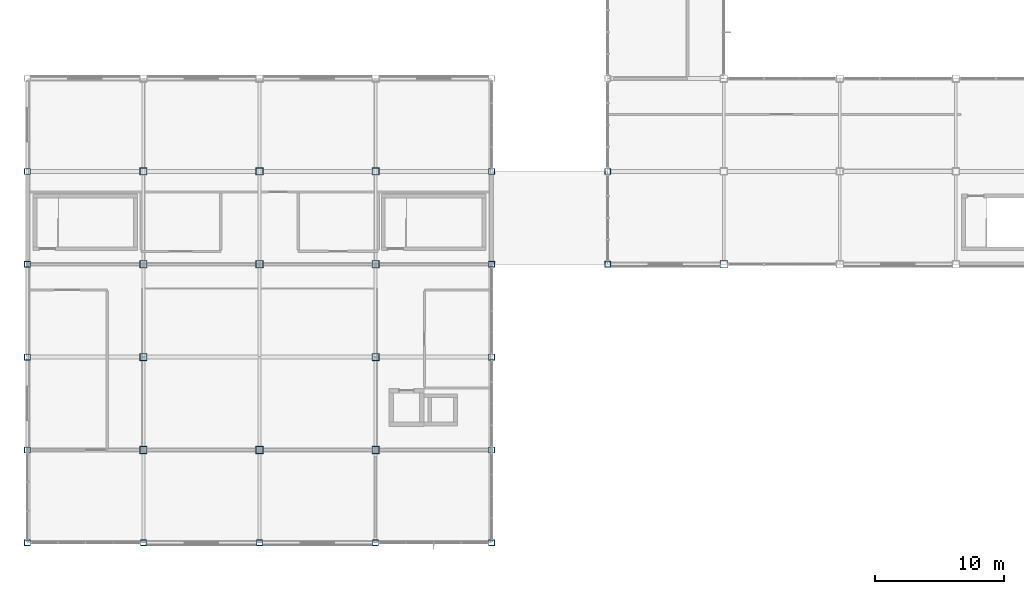
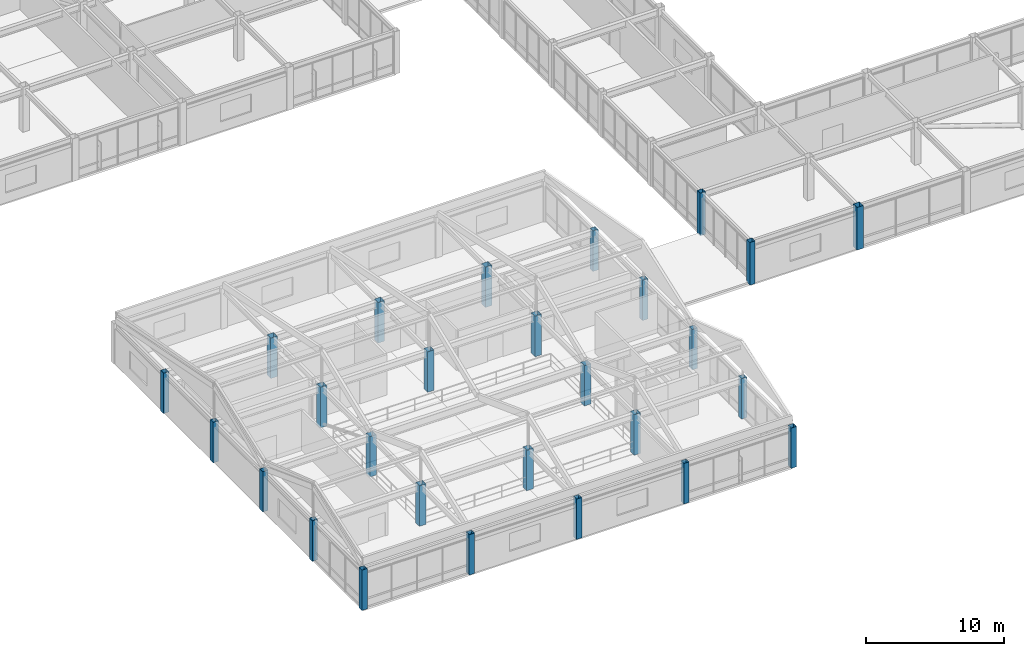
# One storey, part 1 of 113: 27 columns.
"""IFC4 building model written with IfcOpenShell, lengths in metres."""

from ifc_helpers import new_model, si_unit, direction, frame, origin, origin_2d, place, context, subcontext, project, spatial, hollow_rectangle, extrude, material, material_profile, profile_set, type_object, element, save


model = new_model("IFC4")

# Units and contexts
model_context = context("Model", 3, precision=1e-05, world=origin(), true_north=direction((0.0, 1.0)))
body_context = subcontext(model_context, "Body", "Model", "MODEL_VIEW")
ifc_project = project(units=[si_unit("LENGTHUNIT", "METRE"), si_unit("AREAUNIT", "SQUARE_METRE"), si_unit("VOLUMEUNIT", "CUBIC_METRE"), si_unit("PLANEANGLEUNIT", "RADIAN"), si_unit("MASSUNIT", "GRAM", prefix="KILO")], contexts=[model_context])

# Site, building, storey
site_placement = place(None, origin())
site = spatial("IfcSite", under=ifc_project, at=site_placement, CompositionType="ELEMENT")
building_placement = place(site_placement, origin())
building = spatial("IfcBuilding", under=site, at=building_placement, Name="Kazanami Central Library", CompositionType="ELEMENT")
storey_placement = place(building_placement, frame((0.0, 0.0, 8.800048828125)))
storey = spatial("IfcBuildingStorey", under=building, at=storey_placement, Name="L03", CompositionType="ELEMENT", Elevation=8.800048828125)

# Columns
ifc_material = material(Name="Steel BCP325 (325 MPa)", Category="steel")
ifc_material_profile_1 = material_profile(ifc_material, hollow_rectangle(XDim=0.449951171875, YDim=0.449951171875, WallThickness=0.01904296875, at=origin_2d()), Name="BCP-450x450x19")
ifc_profile_set_1 = profile_set([ifc_material_profile_1], Name="Steel BCP325 (325 MPa)")
column_type_1 = type_object("IfcColumnType", Name="COL-C-P2E", PredefinedType="COLUMN", material=ifc_profile_set_1)
for number, where, z_axis, x_axis, name in (
    (1, (0.0, 0.0, 0.0), (0.0, 0.0, 1.0), (1.0, 0.0, 0.0), "Column C-P2E L03 1/A"),
    (2, (0.0, 7.199951171875, 0.0), (0.0, 0.0, 1.0), (1.0, 0.0, 0.0), "Column C-P2E L03 1/B"),
    (3, (0.0, 14.39990234375, 0.0), (0.0, 0.0, 1.0), (1.0, 0.0, 0.0), "Column C-P2E L03 1/C"),
    (4, (0.0, 21.60009765625, 0.0), (0.0, 0.0, 1.0), (1.0, 0.0, 0.0), "Column C-P2E L03 1/D"),
    (5, (0.0, 28.800048828125, 0.0), (0.0, 0.0, 1.0), (1.0, 0.0, 0.0), "Column C-P2E L03 1/E"),
    (6, (9.0, 0.0, 0.0), (0.0, 0.0, 1.0), (1.0, 0.0, 0.0), "Column C-P2E L03 2/A"),
    (7, (18.0, 0.0, 0.0), (0.0, 0.0, 1.0), (1.0, 0.0, 0.0), "Column C-P2E L03 3/A"),
    (8, (27.0, 0.0, 0.0), (0.0, 0.0, 1.0), (1.0, 0.0, 0.0), "Column C-P2E L03 4/A"),
    (9, (36.0, 0.0, 0.0), (0.0, 0.0, 1.0), (1.0, 0.0, 0.0), "Column C-P2E L03 5/A"),
    (10, (36.0, 7.199951171875, 0.0), (0.0, 0.0, 1.0), (1.0, 0.0, 0.0), "Column C-P2E L03 5/B"),
    (11, (36.0, 14.39990234375, 0.0), (0.0, 0.0, 1.0), (1.0, 0.0, 0.0), "Column C-P2E L03 5/C"),
    (12, (36.0, 21.60009765625, 0.0), (0.0, 0.0, 1.0), (1.0, 0.0, 0.0), "Column C-P2E L03 5/D"),
    (13, (36.0, 28.800048828125, 0.0), (0.0, 0.0, 1.0), (1.0, 0.0, 0.0), "Column C-P2E L03 5/E"),
):
    element("IfcColumn", number, at=place(storey_placement, frame(where, z_axis=z_axis, x_axis=x_axis)), inside=storey, type_object=column_type_1, Name=name, PredefinedType="COLUMN", context=body_context, shape_type="SweptSolid", body=[
        extrude(hollow_rectangle(XDim=0.449951171875, YDim=0.449951171875, WallThickness=0.01904296875, at=origin_2d()), origin(), (0.0, 0.0, 1.0), 3.579833984375),
    ])
for number, where, z_axis, x_axis, name in (
    (14, (45.0, 21.60009765625, 0.0), (0.0, 0.0, 1.0), (1.0, 0.0, 0.0), "Column C-P2E L03 6/D"),
    (15, (45.0, 28.800048828125, 0.0), (0.0, 0.0, 1.0), (1.0, 0.0, 0.0), "Column C-P2E L03 6/E"),
):
    element("IfcColumn", number, at=place(storey_placement, frame(where, z_axis=z_axis, x_axis=x_axis)), inside=storey, type_object=column_type_1, Name=name, PredefinedType="COLUMN", context=body_context, shape_type="SweptSolid", body=[
        extrude(hollow_rectangle(XDim=0.449951171875, YDim=0.449951171875, WallThickness=0.01904296875, at=origin_2d()), origin(), (0.0, 0.0, 1.0), 3.780029296875),
    ])
ifc_material_profile_2 = material_profile(ifc_material, hollow_rectangle(XDim=0.550048828125, YDim=0.550048828125, WallThickness=0.02197265625, at=origin_2d()), Name="BCP-550x550x22")
ifc_profile_set_2 = profile_set([ifc_material_profile_2], Name="Steel BCP325 (325 MPa)")
column_type_2 = type_object("IfcColumnType", Name="COL-C-P2I", PredefinedType="COLUMN", material=ifc_profile_set_2)
for number, where, z_axis, x_axis, name in (
    (16, (9.0, 7.199951171875, 0.0), (0.0, 0.0, 1.0), (1.0, 0.0, 0.0), "Column C-P2I L03 2/B"),
    (17, (9.0, 14.39990234375, 0.0), (0.0, 0.0, 1.0), (1.0, 0.0, 0.0), "Column C-P2I L03 2/C"),
    (18, (9.0, 21.60009765625, 0.0), (0.0, 0.0, 1.0), (1.0, 0.0, 0.0), "Column C-P2I L03 2/D"),
    (19, (9.0, 28.800048828125, 0.0), (0.0, 0.0, 1.0), (1.0, 0.0, 0.0), "Column C-P2I L03 2/E"),
    (20, (18.0, 7.199951171875, 0.0), (0.0, 0.0, 1.0), (1.0, 0.0, 0.0), "Column C-P2I L03 3/B"),
    (21, (18.0, 21.60009765625, 0.0), (0.0, 0.0, 1.0), (1.0, 0.0, 0.0), "Column C-P2I L03 3/D"),
    (22, (18.0, 28.800048828125, 0.0), (0.0, 0.0, 1.0), (1.0, 0.0, 0.0), "Column C-P2I L03 3/E"),
    (23, (27.0, 7.199951171875, 0.0), (0.0, 0.0, 1.0), (1.0, 0.0, 0.0), "Column C-P2I L03 4/B"),
    (24, (27.0, 14.39990234375, 0.0), (0.0, 0.0, 1.0), (1.0, 0.0, 0.0), "Column C-P2I L03 4/C"),
    (25, (27.0, 21.60009765625, 0.0), (0.0, 0.0, 1.0), (1.0, 0.0, 0.0), "Column C-P2I L03 4/D"),
    (26, (27.0, 28.800048828125, 0.0), (0.0, 0.0, 1.0), (1.0, 0.0, 0.0), "Column C-P2I L03 4/E"),
):
    element("IfcColumn", number, at=place(storey_placement, frame(where, z_axis=z_axis, x_axis=x_axis)), inside=storey, type_object=column_type_2, Name=name, PredefinedType="COLUMN", context=body_context, shape_type="SweptSolid", body=[
        extrude(hollow_rectangle(XDim=0.550048828125, YDim=0.550048828125, WallThickness=0.02197265625, at=origin_2d()), origin(), (0.0, 0.0, 1.0), 3.579833984375),
    ])
column_placement = place(storey_placement, frame((54.0, 21.60009765625, 0.0), z_axis=(0.0, 0.0, 1.0), x_axis=(1.0, 0.0, 0.0)))
element("IfcColumn", 27, at=column_placement, inside=storey, type_object=column_type_2, Name="Column C-P2I L03 7/D", PredefinedType="COLUMN", context=body_context, shape_type="SweptSolid", body=[
    extrude(hollow_rectangle(XDim=0.550048828125, YDim=0.550048828125, WallThickness=0.02197265625, at=origin_2d()), origin(), (0.0, 0.0, 1.0), 3.780029296875),
])

save(model, "model.ifc")
